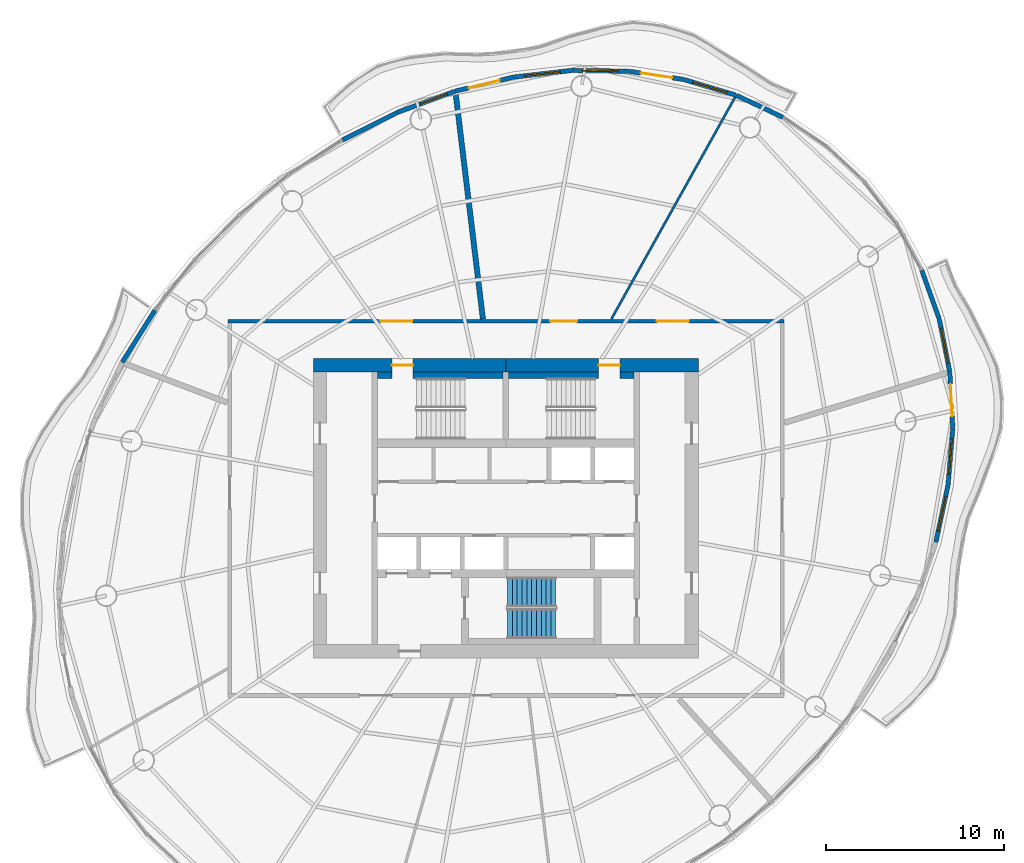
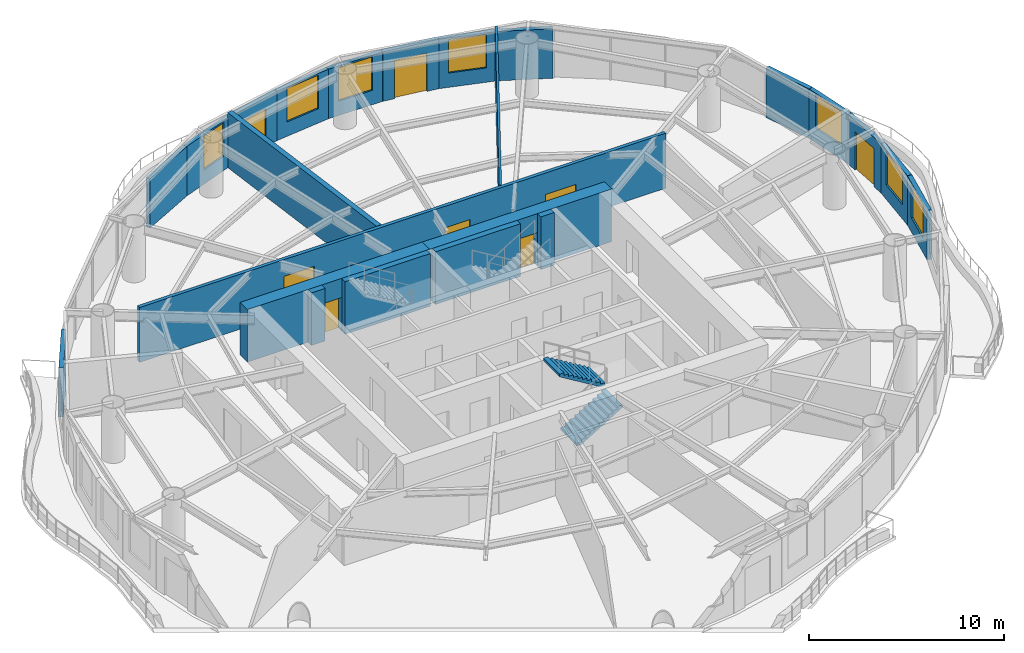
# One storey, part 10 of 14: 23 walls, 8 doors, 7 windows, 2 stair flights, 15 openings, 1 element without a shape of its own.
"""IFC4 building model written with IfcOpenShell, lengths in metres."""

import ifcopenshell
import ifcopenshell.guid

model = None  # the IFC model being written
_history = None  # IfcOwnerHistory: only IFC2X3 demands one
_inside = {}  # id of a spatial element -> (the spatial element, [elements in it])
_under = {}  # id of a project, library or spatial element -> (it, [spatial elements below it])
_declared = {}  # id of a project -> (the project, [libraries it declares])
_typed = {}  # id of a type object -> (the type object, [elements of that type])
_made_of = {}  # id of a material, layer set ... -> (it, [elements and type objects made of it])


def new_model(schema):
    """Start an empty IFC model of exactly this schema.

    Asked for "IFC4X3", IfcOpenShell would pick the latest addendum, in which some entities
    have other attributes; the version numbers below select the first issue.
    IFC2X3 requires an IfcOwnerHistory on every rooted entity: one is made here for all.
    """
    global model, _history
    if schema == "IFC4X3":
        model = ifcopenshell.file(schema_version=(4, 3, 0, 0))
    else:
        model = ifcopenshell.file(schema=schema)
    _inside.clear()
    _under.clear()
    _declared.clear()
    _typed.clear()
    _made_of.clear()
    _history = None
    if model.schema == "IFC2X3":
        org = make("IfcOrganization", Name="unknown")
        user = make(
            "IfcPersonAndOrganization",
            ThePerson=make("IfcPerson", FamilyName="unknown"),
            TheOrganization=org,
        )
        app = make(
            "IfcApplication",
            ApplicationDeveloper=org,
            Version="unknown",
            ApplicationFullName="unknown",
            ApplicationIdentifier="unknown",
        )
        _history = make(
            "IfcOwnerHistory",
            OwningUser=user,
            OwningApplication=app,
            ChangeAction="ADDED",
            CreationDate=0,
        )
    return model


def make(cls, **values):
    """One entity of the class cls with the attributes given. An attribute that is None is left unset."""
    return model.create_entity(
        cls, **{name: value for name, value in values.items() if value is not None}
    )


def rooted(cls, **values):
    """An entity with a GlobalId (a new one), such as an element, a storey or a relation."""
    return make(cls, GlobalId=ifcopenshell.guid.new(), OwnerHistory=_history, **values)


def si_unit(unit_type, name, prefix=None):
    """IfcSIUnit, for example si_unit("LENGTHUNIT", "METRE", prefix="MILLI")."""
    return make("IfcSIUnit", UnitType=unit_type, Prefix=prefix, Name=name)


def assignment(units):
    """IfcUnitAssignment: the units of a project."""
    return None if units is None else make("IfcUnitAssignment", Units=units)


def point(xyz):
    """IfcCartesianPoint."""
    return None if xyz is None else make("IfcCartesianPoint", Coordinates=xyz)


def direction(xyz):
    """IfcDirection."""
    return None if xyz is None else make("IfcDirection", DirectionRatios=xyz)


def frame(location, z_axis=None, x_axis=None):
    """IfcAxis2Placement3D, a coordinate frame: its origin and axes. An axis left out is left unset."""
    return make(
        "IfcAxis2Placement3D",
        Location=point(location),
        Axis=direction(z_axis),
        RefDirection=direction(x_axis),
    )


def frame_2d(location, x_axis=None):
    """IfcAxis2Placement2D, a coordinate frame in the plane: its origin and x axis."""
    return make(
        "IfcAxis2Placement2D", Location=point(location), RefDirection=direction(x_axis)
    )


def origin():
    """The frame at (0, 0, 0) with its axes left unset."""
    return frame((0.0, 0.0, 0.0))


def place(relative_to, where):
    """IfcLocalPlacement: puts the frame where relative to a parent placement (None: the world)."""
    return make(
        "IfcLocalPlacement", PlacementRelTo=relative_to, RelativePlacement=where
    )


def context(
    kind, dimensions, precision=None, world=None, true_north=None, identifier=None
):
    """IfcGeometricRepresentationContext, for example the 3D "Model" context."""
    return make(
        "IfcGeometricRepresentationContext",
        ContextIdentifier=identifier,
        ContextType=kind,
        CoordinateSpaceDimension=dimensions,
        Precision=precision,
        WorldCoordinateSystem=world,
        TrueNorth=true_north,
    )


def subcontext(parent, identifier, kind, view, scale=None):
    """IfcGeometricRepresentationSubContext, for example "Body" below "Model"."""
    return make(
        "IfcGeometricRepresentationSubContext",
        ContextIdentifier=identifier,
        ContextType=kind,
        ParentContext=parent,
        TargetScale=scale,
        TargetView=view,
    )


def project(units=None, contexts=None):
    """IfcProject with its units and contexts."""
    return rooted(
        "IfcProject",
        Name="project",
        RepresentationContexts=contexts,
        UnitsInContext=assignment(units),
    )


def spatial(cls, under=None, at=None, **own):
    """A site, building, storey or space (cls), placed at a placement, below another one or the project."""
    s = rooted(cls, ObjectPlacement=at, **own)
    if under is not None:
        _under.setdefault(under.id(), (under, []))[1].append(s)
    return s


def polyline(points):
    """IfcPolyline through the points."""
    return make("IfcPolyline", Points=[point(p) for p in points])


def profile(cls, at=None, kind="AREA", **sizes):
    """A parametric profile (cls). Its sizes go by their IFC names, for example OverallWidth=200.0."""
    return make(cls, ProfileType=kind, Position=at, **sizes)


def rectangle(**sizes):
    """IfcRectangleProfileDef."""
    return profile("IfcRectangleProfileDef", **sizes)


def outline(outer, holes=None, kind="AREA"):
    """IfcArbitraryClosedProfileDef: a profile drawn as a closed curve; with holes, ...WithVoids."""
    if holes is None:
        return make("IfcArbitraryClosedProfileDef", ProfileType=kind, OuterCurve=outer)
    return make(
        "IfcArbitraryProfileDefWithVoids",
        ProfileType=kind,
        OuterCurve=outer,
        InnerCurves=holes,
    )


def extrude(swept, where, along, depth):
    """IfcExtrudedAreaSolid: the profile swept, set in the frame where, extruded along a direction by depth."""
    return make(
        "IfcExtrudedAreaSolid",
        SweptArea=swept,
        Position=where,
        ExtrudedDirection=direction(along),
        Depth=depth,
    )


def shape(context_of_items, identifier, shape_type, items):
    """IfcShapeRepresentation: the items that make up one representation, for example the "Body"."""
    return make(
        "IfcShapeRepresentation",
        ContextOfItems=context_of_items,
        RepresentationIdentifier=identifier,
        RepresentationType=shape_type,
        Items=items,
    )


def material(Name=None, Category=None):
    """IfcMaterial."""
    return make("IfcMaterial", Name=Name, Category=Category)


def layer(
    of_material, thickness, ventilated=None, Name=None, Category=None, Priority=None
):
    """IfcMaterialLayer: one layer of a wall or slab, of a material (None: an air gap)."""
    return make(
        "IfcMaterialLayer",
        Material=of_material,
        LayerThickness=thickness,
        IsVentilated=ventilated,
        Name=Name,
        Category=Category,
        Priority=Priority,
    )


def layer_set(layers, Name=None):
    """IfcMaterialLayerSet."""
    return make("IfcMaterialLayerSet", MaterialLayers=layers, LayerSetName=Name)


def made_of(thing, what):
    """Note that an element or type object is made of a material, layer set ...; save() writes the relation."""
    if what is not None:
        _made_of.setdefault(what.id(), (what, []))[1].append(thing)
    return thing


def type_object(cls, material=None, **own):
    """A type object (cls), such as IfcWallType, which elements share."""
    return made_of(rooted(cls, **own), material)


def element(
    cls,
    number,
    at=None,
    inside=None,
    cuts=None,
    type_object=None,
    material=None,
    context=None,
    identifier="Body",
    shape_type=None,
    held_by="IfcProductDefinitionShape",
    body=None,
    shapes=None,
    **own,
):
    """One element of the class cls, such as IfcWall. Its Tag is "e" and its number.

    at: its placement. inside: the storey or other place that contains it. cuts: it is an
    opening in that element (IfcRelVoidsElement). A single representation is given by context,
    identifier, shape_type and body (its items); several are given by shapes. held_by: the class
    of the entity that holds the representations. save() writes the other relations.
    """
    e = rooted(cls, Tag="e%d" % number, ObjectPlacement=at, **own)
    if body is not None:
        shapes = [shape(context, identifier, shape_type, body)]
    if shapes is not None:
        e.Representation = make(held_by, Representations=shapes)
    if inside is not None:
        _inside.setdefault(inside.id(), (inside, []))[1].append(e)
    if cuts is not None:
        rooted(
            "IfcRelVoidsElement", RelatingBuildingElement=cuts, RelatedOpeningElement=e
        )
    if type_object is not None:
        _typed.setdefault(type_object.id(), (type_object, []))[1].append(e)
    return made_of(e, material)


def fill(opening, filler):
    """IfcRelFillsElement: the door or window that sits in an opening."""
    return rooted(
        "IfcRelFillsElement",
        RelatingOpeningElement=opening,
        RelatedBuildingElement=filler,
    )


def aggregate(whole, parts):
    """IfcRelAggregates: a whole, such as a stair, and the parts it consists of."""
    return rooted("IfcRelAggregates", RelatingObject=whole, RelatedObjects=parts)


def save(model, path):
    """Write the relations noted so far, then the file.

    IfcRelAggregates (storeys below a building ...), IfcRelContainedInSpatialStructure (elements
    in a storey), IfcRelDefinesByType, IfcRelAssociatesMaterial and IfcRelDeclares: one each for
    every whole, place, type object, material and project.
    """
    for whole, parts in _under.values():
        aggregate(whole, parts)
    for where, things in _inside.values():
        rooted(
            "IfcRelContainedInSpatialStructure",
            RelatedElements=things,
            RelatingStructure=where,
        )
    for kind, things in _typed.values():
        rooted("IfcRelDefinesByType", RelatedObjects=things, RelatingType=kind)
    for what, things in _made_of.values():
        rooted("IfcRelAssociatesMaterial", RelatedObjects=things, RelatingMaterial=what)
    for by, libraries in _declared.values():
        rooted("IfcRelDeclares", RelatingContext=by, RelatedDefinitions=libraries)
    model.write(path)


model = new_model("IFC4")

# Units and contexts
model_context = context("Model", 3, precision=1e-05, world=origin(), true_north=direction((0.0, 1.0)))
body_context = subcontext(model_context, "Body", "Model", "MODEL_VIEW")
ifc_project = project(units=[si_unit("LENGTHUNIT", "METRE"), si_unit("AREAUNIT", "SQUARE_METRE"), si_unit("VOLUMEUNIT", "CUBIC_METRE"), si_unit("PLANEANGLEUNIT", "RADIAN"), si_unit("MASSUNIT", "GRAM", prefix="KILO")], contexts=[model_context])

# Site, building, storey
site_placement = place(None, origin())
site = spatial("IfcSite", under=ifc_project, at=site_placement, CompositionType="ELEMENT")
building_placement = place(site_placement, origin())
building = spatial("IfcBuilding", under=site, at=building_placement, Name="Vermilion Reach Broadcast Tower", CompositionType="ELEMENT")
storey_placement = place(building_placement, frame((0.0, 0.0, 202.89990234375)))
storey = spatial("IfcBuildingStorey", under=building, at=storey_placement, Name="L49", CompositionType="ELEMENT", Elevation=202.89990234375)

# Wall, opening, door
ifc_material_1 = material(Name="Concrete C60", Category="concrete")
ifc_layer_1 = layer(ifc_material_1, 0.75)
ifc_layer_set_1 = layer_set([ifc_layer_1], Name="Core outer wall 750 mm Concrete C60")
wall_type_1 = type_object("IfcWallType", Name="Core outer wall 750 mm Concrete C60", PredefinedType="SHEAR", material=ifc_layer_set_1)
wall_1_placement = place(storey_placement, frame((4.800048828125, 8.02490234375, 0.0), z_axis=(0.0, 0.0, 1.0), x_axis=(-1.0, 0.0, 0.0)))
wall_1 = element("IfcWall", 1, at=wall_1_placement, inside=storey, type_object=wall_type_1, Name="L49 core wall onE", PredefinedType="SHEAR", context=body_context, shape_type="SweptSolid", body=[
    extrude(rectangle(XDim=10.800048828125, YDim=0.75, at=frame_2d((5.39990234375, 0.0))), origin(), (0.0, 0.0, 1.0), 3.300048828125),
])
opening_1_placement = place(wall_1_placement, frame((4.39990234375, 0.0, 0.0)))
opening_1 = element("IfcOpeningElement", 2, at=opening_1_placement, cuts=wall_1, Name="Opening D01", PredefinedType="OPENING", context=body_context, shape_type="SweptSolid", body=[
    extrude(rectangle(XDim=1.199951171875, YDim=2.10009765625, at=frame_2d((0.60009765625, 1.050048828125))), frame((0.0, 0.385009765625, 0.0), z_axis=(0.0, -1.0, 0.0), x_axis=(1.0, 0.0, 0.0)), (0.0, 0.0, 1.0), 0.77001953125),
])
ifc_material_2 = material(Name="Painted steel fire door", Category="steel")
door_type_1 = type_object("IfcDoorType", Name="Stair door 1200 x 2100", OperationType="DOUBLE_DOOR_SINGLE_SWING", PredefinedType="NOTDEFINED", material=ifc_material_2)
door_1_placement = place(opening_1_placement, origin())
door_1 = element("IfcDoor", 3, at=door_1_placement, inside=storey, type_object=door_type_1, Name="L49 stair door ST2", OperationType="DOUBLE_DOOR_SINGLE_SWING", OverallHeight=2.10009765625, OverallWidth=1.199951171875, PredefinedType="NOTDEFINED", context=body_context, shape_type="SweptSolid", body=[
    extrude(rectangle(XDim=1.199951171875, YDim=2.10009765625, at=frame_2d((0.60009765625, 1.050048828125))), frame((0.0, 0.02490234375, 0.0), z_axis=(0.0, -1.0, 0.0), x_axis=(1.0, 0.0, 0.0)), (0.0, 0.0, 1.0), 0.050048828125),
])
fill(opening_1, door_1)

wall_2_placement = place(storey_placement, frame((-6.0, 8.02490234375, 0.0), z_axis=(0.0, 0.0, 1.0), x_axis=(-1.0, 0.0, 0.0)))
wall_2 = element("IfcWall", 4, at=wall_2_placement, inside=storey, type_object=wall_type_1, Name="L49 core wall onW", PredefinedType="SHEAR", context=body_context, shape_type="SweptSolid", body=[
    extrude(rectangle(XDim=10.800048828125, YDim=0.75, at=frame_2d((5.39990234375, 0.0))), origin(), (0.0, 0.0, 1.0), 3.300048828125),
])
opening_2_placement = place(wall_2_placement, frame((5.199951171875, 0.0, 0.0)))
opening_2 = element("IfcOpeningElement", 5, at=opening_2_placement, cuts=wall_2, Name="Opening D01", PredefinedType="OPENING", context=body_context, shape_type="SweptSolid", body=[
    extrude(rectangle(XDim=1.199951171875, YDim=2.10009765625, at=frame_2d((0.60009765625, 1.050048828125))), frame((0.0, 0.385009765625, 0.0), z_axis=(0.0, -1.0, 0.0), x_axis=(1.0, 0.0, 0.0)), (0.0, 0.0, 1.0), 0.77001953125),
])
door_2_placement = place(opening_2_placement, origin())
door_2 = element("IfcDoor", 6, at=door_2_placement, inside=storey, type_object=door_type_1, Name="L49 stair door ST1", OperationType="DOUBLE_DOOR_SINGLE_SWING", OverallHeight=2.10009765625, OverallWidth=1.199951171875, PredefinedType="NOTDEFINED", context=body_context, shape_type="SweptSolid", body=[
    extrude(rectangle(XDim=1.199951171875, YDim=2.10009765625, at=frame_2d((0.60009765625, 1.050048828125))), frame((0.0, 0.02490234375, 0.0), z_axis=(0.0, -1.0, 0.0), x_axis=(1.0, 0.0, 0.0)), (0.0, 0.0, 1.0), 0.050048828125),
])
fill(opening_2, door_2)

# Walls
ifc_material_3 = material(Name="Concrete C60", Category="concrete")
ifc_layer_2 = layer(ifc_material_3, 0.35009765625)
ifc_layer_set_2 = layer_set([ifc_layer_2], Name="Core stair wall 350 mm Concrete C60")
wall_type_2 = type_object("IfcWallType", Name="Core stair wall 350 mm Concrete C60", PredefinedType="SHEAR", material=ifc_layer_set_2)
wall_3_placement = place(storey_placement, frame((-13.199951171875, 7.47509765625, 0.0), z_axis=(0.0, 0.0, 1.0), x_axis=(1.0, 0.0, 0.0)))
element("IfcWall", 7, at=wall_3_placement, inside=storey, type_object=wall_type_2, Name="L49 core wall l1a", PredefinedType="SHEAR", context=body_context, shape_type="SweptSolid", body=[
    extrude(rectangle(XDim=0.800048828125, YDim=0.35009765625, at=frame_2d((0.39990234375, 0.0))), origin(), (0.0, 0.0, 1.0), 3.300048828125),
])
for number, where, z_axis, x_axis, name in (
    (8, (-11.199951171875, 7.47509765625, 0.0), (0.0, 0.0, 1.0), (1.0, 0.0, 0.0), "L49 core wall l1b"),
    (9, (-5.85009765625, 7.47509765625, 0.0), (0.0, 0.0, 1.0), (1.0, 0.0, 0.0), "L49 core wall l2a"),
):
    element("IfcWall", number, at=place(storey_placement, frame(where, z_axis=z_axis, x_axis=x_axis)), inside=storey, type_object=wall_type_2, Name=name, PredefinedType="SHEAR", context=body_context, shape_type="SweptSolid", body=[
        extrude(rectangle(XDim=5.050048828125, YDim=0.35009765625, at=frame_2d((2.52490234375, 0.0))), origin(), (0.0, 0.0, 1.0), 3.300048828125),
    ])
wall_4_placement = place(storey_placement, frame((0.39990234375, 7.47509765625, 0.0), z_axis=(0.0, 0.0, 1.0), x_axis=(1.0, 0.0, 0.0)))
element("IfcWall", 10, at=wall_4_placement, inside=storey, type_object=wall_type_2, Name="L49 core wall l2b", PredefinedType="SHEAR", context=body_context, shape_type="SweptSolid", body=[
    extrude(rectangle(XDim=0.800048828125, YDim=0.35009765625, at=frame_2d((0.39990234375, 0.0))), origin(), (0.0, 0.0, 1.0), 3.300048828125),
])

# Wall, openings, doors
ifc_material_4 = material(Name="Fire-rated gypsum board partition")
ifc_layer_3 = layer(ifc_material_4, 0.199951171875)
ifc_layer_set_3 = layer_set([ifc_layer_3], Name="Corridor wall 200 fire-rated")
wall_type_3 = type_object("IfcWallType", Name="Corridor wall 200 fire-rated", PredefinedType="PARTITIONING", material=ifc_layer_set_3)
wall_5_placement = place(storey_placement, frame((-21.60009765625, 10.5, 0.0), z_axis=(0.0, 0.0, 1.0), x_axis=(1.0, 0.0, 0.0)))
wall_5 = element("IfcWall", 11, at=wall_5_placement, inside=storey, type_object=wall_type_3, Name="Corridor wall 49.N", PredefinedType="PARTITIONING", context=body_context, shape_type="SweptSolid", body=[
    extrude(rectangle(XDim=31.2001953125, YDim=0.199951171875, at=frame_2d((15.60009765625, 0.0))), origin(), (0.0, 0.0, 1.0), 3.4501953125),
])
opening_3_placement = place(wall_5_placement, frame((18.102294921875, 0.0, 0.0)))
opening_3 = element("IfcOpeningElement", 12, at=opening_3_placement, cuts=wall_5, Name="Opening D24", PredefinedType="OPENING", context=body_context, shape_type="SweptSolid", body=[
    extrude(rectangle(XDim=1.5, YDim=2.10009765625, at=frame_2d((0.75, 1.050048828125))), frame((0.0, 0.10986328125, 0.0), z_axis=(0.0, -1.0, 0.0), x_axis=(1.0, 0.0, 0.0)), (0.0, 0.0, 1.0), 0.219970703125),
])
opening_4_placement = place(wall_5_placement, frame((8.562744140625, 0.0, 0.0)))
opening_4 = element("IfcOpeningElement", 13, at=opening_4_placement, cuts=wall_5, Name="Opening D27", PredefinedType="OPENING", context=body_context, shape_type="SweptSolid", body=[
    extrude(rectangle(XDim=1.800048828125, YDim=2.39990234375, at=frame_2d((0.89990234375, 1.199951171875))), frame((0.0, 0.10986328125, 0.0), z_axis=(0.0, -1.0, 0.0), x_axis=(1.0, 0.0, 0.0)), (0.0, 0.0, 1.0), 0.219970703125),
])
opening_5_placement = place(wall_5_placement, frame((24.076904296875, 0.0, 0.0)))
opening_5 = element("IfcOpeningElement", 14, at=opening_5_placement, cuts=wall_5, Name="Opening D21", PredefinedType="OPENING", context=body_context, shape_type="SweptSolid", body=[
    extrude(rectangle(XDim=1.800048828125, YDim=2.10009765625, at=frame_2d((0.89990234375, 1.050048828125))), frame((0.0, 0.10986328125, 0.0), z_axis=(0.0, -1.0, 0.0), x_axis=(1.0, 0.0, 0.0)), (0.0, 0.0, 1.0), 0.219970703125),
])
ifc_material_5 = material(Name="Timber door leaf", Category="wood")
door_type_2 = type_object("IfcDoorType", Name="Door pair 1500x2100", OperationType="NOTDEFINED", PredefinedType="DOOR", material=ifc_material_5)
door_3_placement = place(opening_3_placement, origin())
door_3 = element("IfcDoor", 15, at=door_3_placement, inside=storey, type_object=door_type_2, Name="Door 49.01", OperationType="DOUBLE_DOOR_SINGLE_SWING", OverallHeight=2.10009765625, OverallWidth=1.5, PredefinedType="DOOR", context=body_context, shape_type="SweptSolid", body=[
    extrude(rectangle(XDim=1.5, YDim=2.10009765625, at=frame_2d((0.75, 1.050048828125))), frame((0.0, 0.02490234375, 0.0), z_axis=(0.0, -1.0, 0.0), x_axis=(1.0, 0.0, 0.0)), (0.0, 0.0, 1.0), 0.050048828125),
])
fill(opening_3, door_3)
ifc_material_6 = material(Name="Timber door leaf", Category="wood")
door_type_3 = type_object("IfcDoorType", Name="Door pair 1800x2100", OperationType="NOTDEFINED", PredefinedType="DOOR", material=ifc_material_6)
door_4_placement = place(opening_5_placement, origin())
door_4 = element("IfcDoor", 16, at=door_4_placement, inside=storey, type_object=door_type_3, Name="Door 49.08", OperationType="DOUBLE_DOOR_SINGLE_SWING", OverallHeight=2.10009765625, OverallWidth=1.800048828125, PredefinedType="DOOR", context=body_context, shape_type="SweptSolid", body=[
    extrude(rectangle(XDim=1.800048828125, YDim=2.10009765625, at=frame_2d((0.89990234375, 1.050048828125))), frame((0.0, 0.02490234375, 0.0), z_axis=(0.0, -1.0, 0.0), x_axis=(1.0, 0.0, 0.0)), (0.0, 0.0, 1.0), 0.050048828125),
])
fill(opening_5, door_4)
ifc_material_7 = material(Name="Acoustic timber door leaf", Category="wood")
door_type_4 = type_object("IfcDoorType", Name="Door pair 1800x2400", OperationType="NOTDEFINED", PredefinedType="DOOR", material=ifc_material_7)
door_5_placement = place(opening_4_placement, origin())
door_5 = element("IfcDoor", 17, at=door_5_placement, inside=storey, type_object=door_type_4, Name="Door 49.02", OperationType="DOUBLE_DOOR_SINGLE_SWING", OverallHeight=2.39990234375, OverallWidth=1.800048828125, PredefinedType="DOOR", context=body_context, shape_type="SweptSolid", body=[
    extrude(rectangle(XDim=1.800048828125, YDim=2.39990234375, at=frame_2d((0.89990234375, 1.199951171875))), frame((0.0, 0.02490234375, 0.0), z_axis=(0.0, -1.0, 0.0), x_axis=(1.0, 0.0, 0.0)), (0.0, 0.0, 1.0), 0.050048828125),
])
fill(opening_4, door_5)

# Walls
ifc_material_8 = material(Name="Fire-rated plasterboard on steel stud", Category="steel")
ifc_layer_4 = layer(ifc_material_8, 0.125)
ifc_layer_set_4 = layer_set([ifc_layer_4], Name="Partition 125 fire-rated stud")
wall_type_4 = type_object("IfcWallType", Name="Partition 125 fire-rated stud", PredefinedType="PARTITIONING", material=ifc_layer_set_4)
wall_6_placement = place(storey_placement, frame((6.862548828125, 23.07080078125, 0.0), z_axis=(0.0, 0.0, 1.0), x_axis=(-0.486953657805, -0.873427807635, 0.0)))
element("IfcWall", 18, at=wall_6_placement, inside=storey, type_object=wall_type_4, Name="Partition 49.01", PredefinedType="PARTITIONING", context=body_context, shape_type="SweptSolid", body=[
    extrude(rectangle(XDim=14.2431640625, YDim=0.125, at=frame_2d((7.12158203125, 0.0))), origin(), (0.0, 0.0, 1.0), 3.4501953125),
])
ifc_material_9 = material(Name="Double-leaf plasterboard on isolated steel stud", Category="steel")
ifc_layer_5 = layer(ifc_material_9, 0.300048828125)
ifc_layer_set_5 = layer_set([ifc_layer_5], Name="Partition 300 acoustic double leaf")
wall_type_5 = type_object("IfcWallType", Name="Partition 300 acoustic double leaf", PredefinedType="PARTITIONING", material=ifc_layer_set_5)
wall_7_placement = place(storey_placement, frame((-8.81640625, 23.288818359375, 0.0), z_axis=(0.0, 0.0, 1.0), x_axis=(0.120069156686, -0.992765530029, 0.0)))
element("IfcWall", 19, at=wall_7_placement, inside=storey, type_object=wall_type_5, Name="Partition 49.02", PredefinedType="PARTITIONING", context=body_context, shape_type="SweptSolid", body=[
    extrude(rectangle(XDim=12.76318359375, YDim=0.300048828125, at=frame_2d((6.381591796875, 0.0))), origin(), (0.0, 0.0, 1.0), 3.4501953125),
])
ifc_material_10 = material(Name="Terracotta rainscreen cladding", Category="masonry")
ifc_layer_6 = layer(ifc_material_10, 0.25)
ifc_layer_set_6 = layer_set([ifc_layer_6], Name="Terracotta rainscreen wall 250")
wall_type_6 = type_object("IfcWallType", Name="Terracotta rainscreen wall 250", PredefinedType="SOLIDWALL", material=ifc_layer_set_6)
wall_8_placement = place(storey_placement, frame((9.549072265625, 21.94091796875, 0.0), z_axis=(0.0, 0.0, 1.0), x_axis=(-0.904371073682, 0.426746952054, 0.0)))
element("IfcWall", 20, at=wall_8_placement, inside=storey, type_object=wall_type_6, Name="External wall L49 02", PredefinedType="SOLIDWALL", context=body_context, shape_type="SweptSolid", body=[
    extrude(rectangle(XDim=2.907958984375, YDim=0.25, at=frame_2d((1.4541015625, 0.0))), origin(), (0.0, 0.0, 1.0), 3.10009765625),
])

# Wall, opening, window
wall_9_placement = place(storey_placement, frame((6.89453125, 23.19140625, 0.0), z_axis=(0.0, 0.0, 1.0), x_axis=(-0.957728205686, 0.287674614859, 0.0)))
wall_9 = element("IfcWall", 21, at=wall_9_placement, inside=storey, type_object=wall_type_6, Name="External wall L49 03", PredefinedType="SOLIDWALL", context=body_context, shape_type="SweptSolid", body=[
    extrude(rectangle(XDim=3.01611328125, YDim=0.25, at=frame_2d((1.508056640625, 0.0))), origin(), (0.0, 0.0, 1.0), 3.10009765625),
])
opening_6_placement = place(wall_9_placement, frame((0.508056640625, 0.0, 0.89990234375)))
opening_6 = element("IfcOpeningElement", 22, at=opening_6_placement, cuts=wall_9, Name="Opening W03", PredefinedType="OPENING", context=body_context, shape_type="SweptSolid", body=[
    extrude(rectangle(XDim=2.0, YDim=2.10009765625, at=frame_2d((1.0, 1.050048828125))), frame((0.0, 0.135009765625, 0.0), z_axis=(0.0, -1.0, 0.0), x_axis=(1.0, 0.0, 0.0)), (0.0, 0.0, 1.0), 0.27001953125),
])
ifc_material_11 = material(Name="Low-e laminated clear glass in aluminium frame", Category="aluminium")
window_type_1 = type_object("IfcWindowType", Name="Punched window 2000 x 2100 sill 900", PartitioningType="SINGLE_PANEL", PredefinedType="WINDOW", material=ifc_material_11)
window_1_placement = place(opening_6_placement, origin())
window_1 = element("IfcWindow", 23, at=window_1_placement, inside=storey, type_object=window_type_1, Name="Window L49 03", OverallHeight=2.10009765625, OverallWidth=2.0, PartitioningType="SINGLE_PANEL", PredefinedType="WINDOW", context=body_context, shape_type="SweptSolid", body=[
    extrude(rectangle(XDim=2.0, YDim=2.10009765625, at=frame_2d((1.0, 1.050048828125))), frame((0.0, 0.030029296875, 0.0), z_axis=(0.0, -1.0, 0.0), x_axis=(1.0, 0.0, 0.0)), (0.0, 0.0, 1.0), 0.06005859375),
])
fill(opening_6, window_1)

# Wall, opening, door
wall_10_placement = place(storey_placement, frame((3.980712890625, 24.064697265625, 0.0), z_axis=(0.0, 0.0, 1.0), x_axis=(-0.988853480543, 0.148891887014, 0.0)))
wall_10 = element("IfcWall", 24, at=wall_10_placement, inside=storey, type_object=wall_type_6, Name="External wall L49 04", PredefinedType="SOLIDWALL", context=body_context, shape_type="SweptSolid", body=[
    extrude(rectangle(XDim=3.095703125, YDim=0.25, at=frame_2d((1.5478515625, 0.0))), origin(), (0.0, 0.0, 1.0), 3.10009765625),
])
opening_7_placement = place(wall_10_placement, frame((0.64794921875, 0.0, 0.0)))
opening_7 = element("IfcOpeningElement", 25, at=opening_7_placement, cuts=wall_10, Name="Opening D70", PredefinedType="OPENING", context=body_context, shape_type="SweptSolid", body=[
    extrude(rectangle(XDim=1.800048828125, YDim=2.39990234375, at=frame_2d((0.89990234375, 1.199951171875))), frame((0.0, 0.135009765625, 0.0), z_axis=(0.0, -1.0, 0.0), x_axis=(1.0, 0.0, 0.0)), (0.0, 0.0, 1.0), 0.27001953125),
])
ifc_material_12 = material(Name="Low-e laminated clear glass in aluminium frame", Category="aluminium")
door_type_5 = type_object("IfcDoorType", Name="Balcony sliding door 1800 x 2400", OperationType="DOUBLE_DOOR_SLIDING", PredefinedType="DOOR", material=ifc_material_12)
door_6_placement = place(opening_7_placement, origin())
door_6 = element("IfcDoor", 26, at=door_6_placement, inside=storey, type_object=door_type_5, Name="Balcony door L49 run 01", OperationType="DOUBLE_DOOR_SLIDING", OverallHeight=2.39990234375, OverallWidth=1.800048828125, PredefinedType="DOOR", context=body_context, shape_type="SweptSolid", body=[
    extrude(rectangle(XDim=1.800048828125, YDim=2.39990234375, at=frame_2d((0.89990234375, 1.199951171875))), frame((0.0, 0.02490234375, 0.0), z_axis=(0.0, -1.0, 0.0), x_axis=(1.0, 0.0, 0.0)), (0.0, 0.0, 1.0), 0.050048828125),
])
fill(opening_7, door_6)

# Wall, opening, window
wall_11_placement = place(storey_placement, frame((0.89453125, 24.52783203125, 0.0), z_axis=(0.0, 0.0, 1.0), x_axis=(-0.999898209439, 0.014267822551, 0.0)))
wall_11 = element("IfcWall", 27, at=wall_11_placement, inside=storey, type_object=wall_type_6, Name="External wall L49 05", PredefinedType="SOLIDWALL", context=body_context, shape_type="SweptSolid", body=[
    extrude(rectangle(XDim=3.1826171875, YDim=0.25, at=frame_2d((1.59130859375, 0.0))), origin(), (0.0, 0.0, 1.0), 3.10009765625),
])
opening_8_placement = place(wall_11_placement, frame((0.59130859375, 0.0, 0.89990234375)))
opening_8 = element("IfcOpeningElement", 28, at=opening_8_placement, cuts=wall_11, Name="Opening W03", PredefinedType="OPENING", context=body_context, shape_type="SweptSolid", body=[
    extrude(rectangle(XDim=2.0, YDim=2.10009765625, at=frame_2d((1.0, 1.050048828125))), frame((0.0, 0.135009765625, 0.0), z_axis=(0.0, -1.0, 0.0), x_axis=(1.0, 0.0, 0.0)), (0.0, 0.0, 1.0), 0.27001953125),
])
window_2_placement = place(opening_8_placement, origin())
window_2 = element("IfcWindow", 29, at=window_2_placement, inside=storey, type_object=window_type_1, Name="Window L49 05", OverallHeight=2.10009765625, OverallWidth=2.0, PartitioningType="SINGLE_PANEL", PredefinedType="WINDOW", context=body_context, shape_type="SweptSolid", body=[
    extrude(rectangle(XDim=2.0, YDim=2.10009765625, at=frame_2d((1.0, 1.050048828125))), frame((0.0, 0.030029296875, 0.0), z_axis=(0.0, -1.0, 0.0), x_axis=(1.0, 0.0, 0.0)), (0.0, 0.0, 1.0), 0.06005859375),
])
fill(opening_8, window_2)

wall_12_placement = place(storey_placement, frame((-2.311767578125, 24.572021484375, 0.0), z_axis=(0.0, 0.0, 1.0), x_axis=(-0.99349628186, -0.113864559585, 0.0)))
wall_12 = element("IfcWall", 30, at=wall_12_placement, inside=storey, type_object=wall_type_6, Name="External wall L49 06", PredefinedType="SOLIDWALL", context=body_context, shape_type="SweptSolid", body=[
    extrude(rectangle(XDim=3.269775390625, YDim=0.25, at=frame_2d((1.634765625, 0.0))), origin(), (0.0, 0.0, 1.0), 3.10009765625),
])
opening_9_placement = place(wall_12_placement, frame((0.634765625, 0.0, 0.89990234375)))
opening_9 = element("IfcOpeningElement", 31, at=opening_9_placement, cuts=wall_12, Name="Opening W03", PredefinedType="OPENING", context=body_context, shape_type="SweptSolid", body=[
    extrude(rectangle(XDim=2.0, YDim=2.10009765625, at=frame_2d((1.0, 1.050048828125))), frame((0.0, 0.135009765625, 0.0), z_axis=(0.0, -1.0, 0.0), x_axis=(1.0, 0.0, 0.0)), (0.0, 0.0, 1.0), 0.27001953125),
])
window_3_placement = place(opening_9_placement, origin())
window_3 = element("IfcWindow", 32, at=window_3_placement, inside=storey, type_object=window_type_1, Name="Window L49 06", OverallHeight=2.10009765625, OverallWidth=2.0, PartitioningType="SINGLE_PANEL", PredefinedType="WINDOW", context=body_context, shape_type="SweptSolid", body=[
    extrude(rectangle(XDim=2.0, YDim=2.10009765625, at=frame_2d((1.0, 1.050048828125))), frame((0.0, 0.030029296875, 0.0), z_axis=(0.0, -1.0, 0.0), x_axis=(1.0, 0.0, 0.0)), (0.0, 0.0, 1.0), 0.06005859375),
])
fill(opening_9, window_3)

# Wall, opening, door
wall_13_placement = place(storey_placement, frame((-5.5830078125, 24.195556640625, 0.0), z_axis=(0.0, 0.0, 1.0), x_axis=(-0.972213814668, -0.234094635926, 0.0)))
wall_13 = element("IfcWall", 33, at=wall_13_placement, inside=storey, type_object=wall_type_6, Name="External wall L49 07", PredefinedType="SOLIDWALL", context=body_context, shape_type="SweptSolid", body=[
    extrude(rectangle(XDim=3.351806640625, YDim=0.25, at=frame_2d((1.67578125, 0.0))), origin(), (0.0, 0.0, 1.0), 3.10009765625),
])
opening_10_placement = place(wall_13_placement, frame((0.77587890625, 0.0, 0.0)))
opening_10 = element("IfcOpeningElement", 34, at=opening_10_placement, cuts=wall_13, Name="Opening D70", PredefinedType="OPENING", context=body_context, shape_type="SweptSolid", body=[
    extrude(rectangle(XDim=1.800048828125, YDim=2.39990234375, at=frame_2d((0.89990234375, 1.199951171875))), frame((0.0, 0.135009765625, 0.0), z_axis=(0.0, -1.0, 0.0), x_axis=(1.0, 0.0, 0.0)), (0.0, 0.0, 1.0), 0.27001953125),
])
door_7_placement = place(opening_10_placement, origin())
door_7 = element("IfcDoor", 35, at=door_7_placement, inside=storey, type_object=door_type_5, Name="Balcony door L49 run 02", OperationType="DOUBLE_DOOR_SLIDING", OverallHeight=2.39990234375, OverallWidth=1.800048828125, PredefinedType="DOOR", context=body_context, shape_type="SweptSolid", body=[
    extrude(rectangle(XDim=1.800048828125, YDim=2.39990234375, at=frame_2d((0.89990234375, 1.199951171875))), frame((0.0, 0.02490234375, 0.0), z_axis=(0.0, -1.0, 0.0), x_axis=(1.0, 0.0, 0.0)), (0.0, 0.0, 1.0), 0.050048828125),
])
fill(opening_10, door_7)

# Wall, opening, window
wall_14_placement = place(storey_placement, frame((-8.86328125, 23.404296875, 0.0), z_axis=(0.0, 0.0, 1.0), x_axis=(-0.93828100614, -0.345873898288, 0.0)))
wall_14 = element("IfcWall", 36, at=wall_14_placement, inside=storey, type_object=wall_type_6, Name="External wall L49 08", PredefinedType="SOLIDWALL", context=body_context, shape_type="SweptSolid", body=[
    extrude(rectangle(XDim=3.42333984375, YDim=0.25, at=frame_2d((1.711669921875, 0.0))), origin(), (0.0, 0.0, 1.0), 3.10009765625),
])
opening_11_placement = place(wall_14_placement, frame((0.4619140625, 0.0, 0.89990234375)))
opening_11 = element("IfcOpeningElement", 37, at=opening_11_placement, cuts=wall_14, Name="Opening W04", PredefinedType="OPENING", context=body_context, shape_type="SweptSolid", body=[
    extrude(rectangle(XDim=1.60009765625, YDim=2.10009765625, at=frame_2d((0.800048828125, 1.050048828125))), frame((0.0, 0.135009765625, 0.0), z_axis=(0.0, -1.0, 0.0), x_axis=(1.0, 0.0, 0.0)), (0.0, 0.0, 1.0), 0.27001953125),
])
ifc_material_13 = material(Name="Low-e laminated clear glass in aluminium frame", Category="aluminium")
window_type_2 = type_object("IfcWindowType", Name="Punched window 1600 x 2100 sill 900", PartitioningType="SINGLE_PANEL", PredefinedType="WINDOW", material=ifc_material_13)
window_4_placement = place(opening_11_placement, origin())
window_4 = element("IfcWindow", 38, at=window_4_placement, inside=storey, type_object=window_type_2, Name="Window L49 08", OverallHeight=2.10009765625, OverallWidth=1.60009765625, PartitioningType="SINGLE_PANEL", PredefinedType="WINDOW", context=body_context, shape_type="SweptSolid", body=[
    extrude(rectangle(XDim=1.60009765625, YDim=2.10009765625, at=frame_2d((0.800048828125, 1.050048828125))), frame((0.0, 0.030029296875, 0.0), z_axis=(0.0, -1.0, 0.0), x_axis=(1.0, 0.0, 0.0)), (0.0, 0.0, 1.0), 0.06005859375),
])
fill(opening_11, window_4)

# Walls
for number, where, z_axis, x_axis, name in (
    (39, (-12.095703125, 22.21142578125, 0.0), (0.0, 0.0, 1.0), (-0.893416208643, -0.449229872264, 0.0), "External wall L49 09"),
    (40, (-25.68994140625, 11.11181640625, 0.0), (0.0, 0.0, 1.0), (-0.53307325399, -0.846069090489, 0.0), "External wall L49 14"),
):
    element("IfcWall", number, at=place(storey_placement, frame(where, z_axis=z_axis, x_axis=x_axis)), inside=storey, type_object=wall_type_6, Name=name, PredefinedType="SOLIDWALL", context=body_context, shape_type="SweptSolid", body=[
        extrude(rectangle(XDim=3.436767578125, YDim=0.25, at=frame_2d((1.71826171875, 0.0))), origin(), (0.0, 0.0, 1.0), 3.10009765625),
    ])

# Wall, opening, window
wall_15_placement = place(storey_placement, frame((18.129638671875, -1.89013671875, 0.0), z_axis=(0.0, 0.0, 1.0), x_axis=(0.208906976356, 0.977935516908, 0.0)))
wall_15 = element("IfcWall", 41, at=wall_15_placement, inside=storey, type_object=wall_type_6, Name="External wall L49 41", PredefinedType="SOLIDWALL", context=body_context, shape_type="SweptSolid", body=[
    extrude(rectangle(XDim=3.27001953125, YDim=0.25, at=frame_2d((1.635009765625, 0.0))), origin(), (0.0, 0.0, 1.0), 3.10009765625),
])
opening_12_placement = place(wall_15_placement, frame((0.634765625, 0.0, 0.89990234375)))
opening_12 = element("IfcOpeningElement", 42, at=opening_12_placement, cuts=wall_15, Name="Opening W03", PredefinedType="OPENING", context=body_context, shape_type="SweptSolid", body=[
    extrude(rectangle(XDim=2.0, YDim=2.10009765625, at=frame_2d((1.0, 1.050048828125))), frame((0.0, 0.135009765625, 0.0), z_axis=(0.0, -1.0, 0.0), x_axis=(1.0, 0.0, 0.0)), (0.0, 0.0, 1.0), 0.27001953125),
])
window_5_placement = place(opening_12_placement, origin())
window_5 = element("IfcWindow", 43, at=window_5_placement, inside=storey, type_object=window_type_1, Name="Window L49 41", OverallHeight=2.10009765625, OverallWidth=2.0, PartitioningType="SINGLE_PANEL", PredefinedType="WINDOW", context=body_context, shape_type="SweptSolid", body=[
    extrude(rectangle(XDim=2.0, YDim=2.10009765625, at=frame_2d((1.0, 1.050048828125))), frame((0.0, 0.030029296875, 0.0), z_axis=(0.0, -1.0, 0.0), x_axis=(1.0, 0.0, 0.0)), (0.0, 0.0, 1.0), 0.06005859375),
])
fill(opening_12, window_5)

wall_16_placement = place(storey_placement, frame((18.816162109375, 1.331298828125, 0.0), z_axis=(0.0, 0.0, 1.0), x_axis=(0.082004278311, 0.996631977381, 0.0)))
wall_16 = element("IfcWall", 44, at=wall_16_placement, inside=storey, type_object=wall_type_6, Name="External wall L49 42", PredefinedType="SOLIDWALL", context=body_context, shape_type="SweptSolid", body=[
    extrude(rectangle(XDim=3.1826171875, YDim=0.25, at=frame_2d((1.59130859375, 0.0))), origin(), (0.0, 0.0, 1.0), 3.10009765625),
])
opening_13_placement = place(wall_16_placement, frame((0.59130859375, 0.0, 0.89990234375)))
opening_13 = element("IfcOpeningElement", 45, at=opening_13_placement, cuts=wall_16, Name="Opening W03", PredefinedType="OPENING", context=body_context, shape_type="SweptSolid", body=[
    extrude(rectangle(XDim=2.0, YDim=2.10009765625, at=frame_2d((1.0, 1.050048828125))), frame((0.0, 0.135009765625, 0.0), z_axis=(0.0, -1.0, 0.0), x_axis=(1.0, 0.0, 0.0)), (0.0, 0.0, 1.0), 0.27001953125),
])
window_6_placement = place(opening_13_placement, origin())
window_6 = element("IfcWindow", 46, at=window_6_placement, inside=storey, type_object=window_type_1, Name="Window L49 42", OverallHeight=2.10009765625, OverallWidth=2.0, PartitioningType="SINGLE_PANEL", PredefinedType="WINDOW", context=body_context, shape_type="SweptSolid", body=[
    extrude(rectangle(XDim=2.0, YDim=2.10009765625, at=frame_2d((1.0, 1.050048828125))), frame((0.0, 0.030029296875, 0.0), z_axis=(0.0, -1.0, 0.0), x_axis=(1.0, 0.0, 0.0)), (0.0, 0.0, 1.0), 0.06005859375),
])
fill(opening_13, window_6)

# Wall, opening, door
wall_17_placement = place(storey_placement, frame((19.07763671875, 4.528076171875, 0.0), z_axis=(0.0, 0.0, 1.0), x_axis=(-0.053150699104, 0.998586502605, 0.0)))
wall_17 = element("IfcWall", 47, at=wall_17_placement, inside=storey, type_object=wall_type_6, Name="External wall L49 43", PredefinedType="SOLIDWALL", context=body_context, shape_type="SweptSolid", body=[
    extrude(rectangle(XDim=3.095947265625, YDim=0.25, at=frame_2d((1.5478515625, 0.0))), origin(), (0.0, 0.0, 1.0), 3.10009765625),
])
opening_14_placement = place(wall_17_placement, frame((0.64794921875, 0.0, 0.0)))
opening_14 = element("IfcOpeningElement", 48, at=opening_14_placement, cuts=wall_17, Name="Opening D70", PredefinedType="OPENING", context=body_context, shape_type="SweptSolid", body=[
    extrude(rectangle(XDim=1.800048828125, YDim=2.39990234375, at=frame_2d((0.89990234375, 1.199951171875))), frame((0.0, 0.135009765625, 0.0), z_axis=(0.0, -1.0, 0.0), x_axis=(1.0, 0.0, 0.0)), (0.0, 0.0, 1.0), 0.27001953125),
])
door_8_placement = place(opening_14_placement, origin())
door_8 = element("IfcDoor", 49, at=door_8_placement, inside=storey, type_object=door_type_5, Name="Balcony door L49 run 11", OperationType="DOUBLE_DOOR_SLIDING", OverallHeight=2.39990234375, OverallWidth=1.800048828125, PredefinedType="DOOR", context=body_context, shape_type="SweptSolid", body=[
    extrude(rectangle(XDim=1.800048828125, YDim=2.39990234375, at=frame_2d((0.89990234375, 1.199951171875))), frame((0.0, 0.02490234375, 0.0), z_axis=(0.0, -1.0, 0.0), x_axis=(1.0, 0.0, 0.0)), (0.0, 0.0, 1.0), 0.050048828125),
])
fill(opening_14, door_8)

# Wall, opening, window
wall_18_placement = place(storey_placement, frame((18.909912109375, 7.645263671875, 0.0), z_axis=(0.0, 0.0, 1.0), x_axis=(-0.194200963519, 0.980961765702, 0.0)))
wall_18 = element("IfcWall", 50, at=wall_18_placement, inside=storey, type_object=wall_type_6, Name="External wall L49 44", PredefinedType="SOLIDWALL", context=body_context, shape_type="SweptSolid", body=[
    extrude(rectangle(XDim=3.015869140625, YDim=0.25, at=frame_2d((1.5078125, 0.0))), origin(), (0.0, 0.0, 1.0), 3.10009765625),
])
opening_15_placement = place(wall_18_placement, frame((0.508056640625, 0.0, 0.89990234375)))
opening_15 = element("IfcOpeningElement", 51, at=opening_15_placement, cuts=wall_18, Name="Opening W03", PredefinedType="OPENING", context=body_context, shape_type="SweptSolid", body=[
    extrude(rectangle(XDim=2.0, YDim=2.10009765625, at=frame_2d((1.0, 1.050048828125))), frame((0.0, 0.135009765625, 0.0), z_axis=(0.0, -1.0, 0.0), x_axis=(1.0, 0.0, 0.0)), (0.0, 0.0, 1.0), 0.27001953125),
])
window_7_placement = place(opening_15_placement, origin())
window_7 = element("IfcWindow", 52, at=window_7_placement, inside=storey, type_object=window_type_1, Name="Window L49 44", OverallHeight=2.10009765625, OverallWidth=2.0, PartitioningType="SINGLE_PANEL", PredefinedType="WINDOW", context=body_context, shape_type="SweptSolid", body=[
    extrude(rectangle(XDim=2.0, YDim=2.10009765625, at=frame_2d((1.0, 1.050048828125))), frame((0.0, 0.030029296875, 0.0), z_axis=(0.0, -1.0, 0.0), x_axis=(1.0, 0.0, 0.0)), (0.0, 0.0, 1.0), 0.06005859375),
])
fill(opening_15, window_7)

# Wall
wall_19_placement = place(storey_placement, frame((18.31689453125, 10.62939453125, 0.0), z_axis=(0.0, 0.0, 1.0), x_axis=(-0.337681671404, 0.941260372478, 0.0)))
element("IfcWall", 53, at=wall_19_placement, inside=storey, type_object=wall_type_6, Name="External wall L49 45", PredefinedType="SOLIDWALL", context=body_context, shape_type="SweptSolid", body=[
    extrude(rectangle(XDim=2.907958984375, YDim=0.25, at=frame_2d((1.4541015625, 0.0))), origin(), (0.0, 0.0, 1.0), 3.10009765625),
])

# Stair, stair flights
ifc_material_14 = material(Name="Concrete C40", Category="concrete")
stair_type = type_object("IfcStairType", Name="Exit stair RC 22 risers 164 mm", PredefinedType="HALF_TURN_STAIR", material=ifc_material_14)
stair_placement = place(storey_placement, origin())
stair = element("IfcStair", 54, at=stair_placement, inside=storey, type_object=stair_type, Name="L49 Exit stair ST3", PredefinedType="HALF_TURN_STAIR")
ifc_material_15 = material(Name="Concrete C40", Category="concrete")
stair_flight_type = type_object("IfcStairFlightType", Name="Exit stair flight RC 11 risers", PredefinedType="STRAIGHT", material=ifc_material_15)
stair_flight_1_placement = place(storey_placement, frame((-5.89990234375, -6.469970703125, 0.0), z_axis=(0.0, 0.0, 1.0), x_axis=(1.0, 0.0, 0.0)))
stair_flight_1 = element("IfcStairFlight", 55, at=stair_flight_1_placement, type_object=stair_flight_type, Name="ST3 flight 1", NumberOfRisers=11, NumberOfTreads=10, PredefinedType="STRAIGHT", RiserHeight=0.163636364, TreadLength=0.27, context=body_context, shape_type="SweptSolid", body=[
    extrude(outline(polyline([(0.0, 0.0), (0.0, 0.16357421875), (0.27001953125, 0.16357421875), (0.27001953125, 0.327392578125), (0.5400390625, 0.327392578125), (0.5400390625, 0.490966796875), (0.81005859375, 0.490966796875), (0.81005859375, 0.654541015625), (1.080078125, 0.654541015625), (1.080078125, 0.818115234375), (1.35009765625, 0.818115234375), (1.35009765625, 0.98193359375), (1.6201171875, 0.98193359375), (1.6201171875, 1.1455078125), (1.889892578125, 1.1455078125), (1.889892578125, 1.30908203125), (2.159912109375, 1.30908203125), (2.159912109375, 1.47265625), (2.429931640625, 1.47265625), (2.429931640625, 1.636474609375), (2.699951171875, 1.636474609375), (2.699951171875, 1.800048828125), (2.699951171875, 1.461181640625), (0.289306640625, 0.0), (0.0, 0.0)])), frame((0.0, 0.830078125, 0.0), z_axis=(0.0, -1.0, 0.0), x_axis=(1.0, 0.0, 0.0)), (0.0, 0.0, 1.0), 1.659912109375),
])
stair_flight_2_placement = place(storey_placement, frame((-3.199951171875, -4.7099609375, 1.800048828125), z_axis=(0.0, 0.0, 1.0), x_axis=(-1.0, 0.0, 0.0)))
stair_flight_2 = element("IfcStairFlight", 56, at=stair_flight_2_placement, type_object=stair_flight_type, Name="ST3 flight 2", NumberOfRisers=11, NumberOfTreads=10, PredefinedType="STRAIGHT", RiserHeight=0.163636364, TreadLength=0.27, context=body_context, shape_type="SweptSolid", body=[
    extrude(outline(polyline([(0.0, 0.0), (0.0, 0.16357421875), (0.27001953125, 0.16357421875), (0.27001953125, 0.327392578125), (0.5400390625, 0.327392578125), (0.5400390625, 0.490966796875), (0.81005859375, 0.490966796875), (0.81005859375, 0.654541015625), (1.080078125, 0.654541015625), (1.080078125, 0.818115234375), (1.35009765625, 0.818115234375), (1.35009765625, 0.98193359375), (1.6201171875, 0.98193359375), (1.6201171875, 1.1455078125), (1.889892578125, 1.1455078125), (1.889892578125, 1.30908203125), (2.159912109375, 1.30908203125), (2.159912109375, 1.47265625), (2.429931640625, 1.47265625), (2.429931640625, 1.636474609375), (2.699951171875, 1.636474609375), (2.699951171875, 1.800048828125), (2.699951171875, 1.461181640625), (0.289306640625, 0.0), (0.0, 0.0)])), frame((0.0, 0.830078125, 0.0), z_axis=(0.0, -1.0, 0.0), x_axis=(1.0, 0.0, 0.0)), (0.0, 0.0, 1.0), 1.659912109375),
])
aggregate(stair, [stair_flight_1, stair_flight_2])

save(model, "model.ifc")
